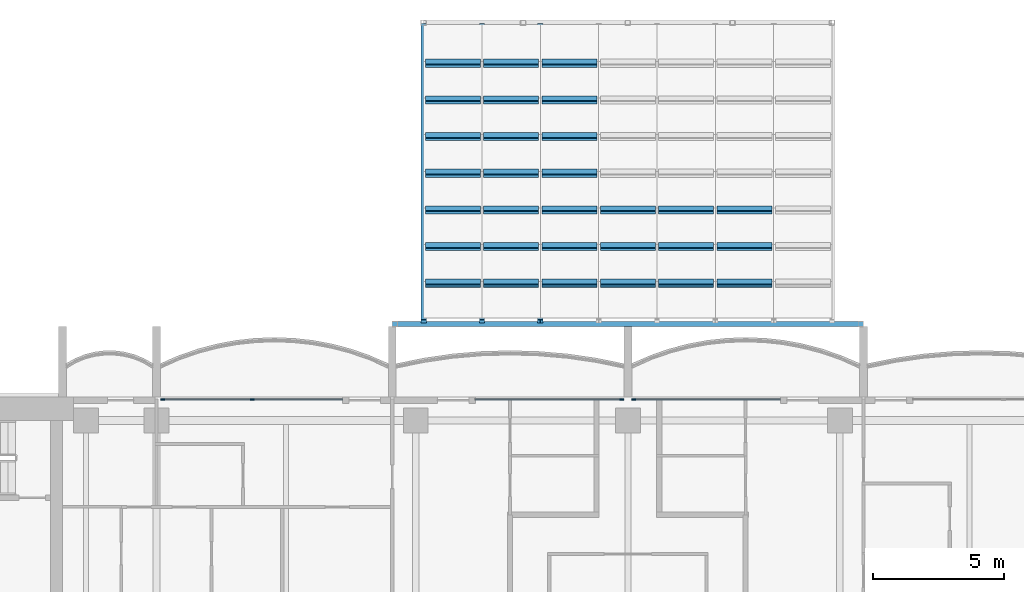
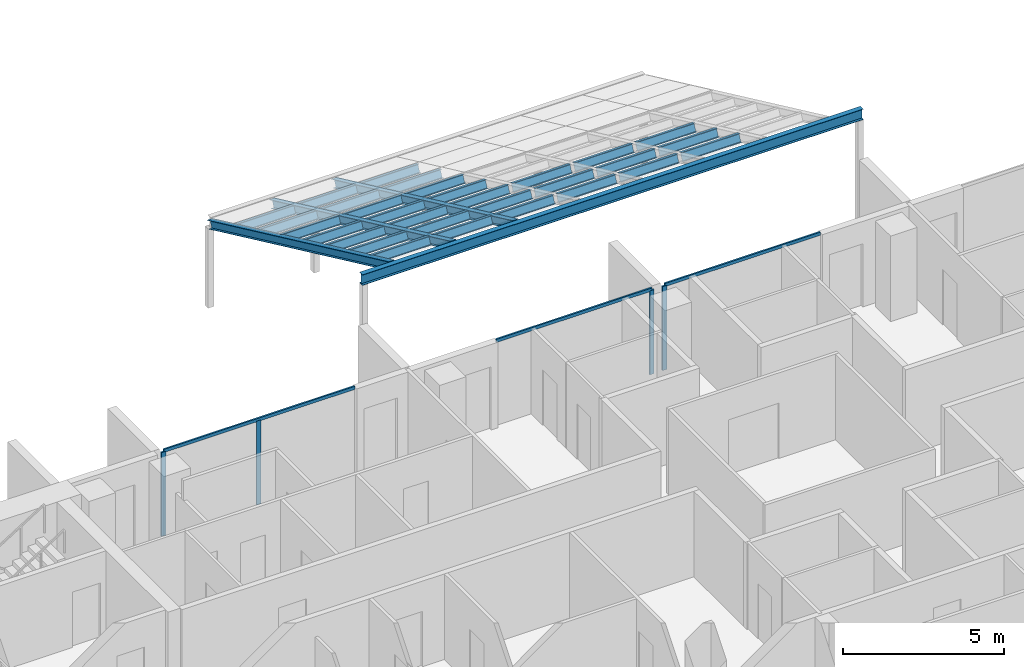
# One storey, part 6 of 20: 37 members, 4 beams, 3 elements without a shape of their own.
"""IFC4 building model written with IfcOpenShell, lengths in metres."""

from ifc_helpers import new_model, si_unit, direction, frame, origin, origin_2d, place, context, subcontext, project, spatial, rectangle, i_section, extrude, material, material_profile, profile_set, type_object, element, aggregate, save


model = new_model("IFC4")

# Units and contexts
model_context = context("Model", 3, precision=1e-05, world=origin(), true_north=direction((0.0, 1.0)))
body_context = subcontext(model_context, "Body", "Model", "MODEL_VIEW")
ifc_project = project(units=[si_unit("LENGTHUNIT", "METRE"), si_unit("AREAUNIT", "SQUARE_METRE"), si_unit("VOLUMEUNIT", "CUBIC_METRE"), si_unit("PLANEANGLEUNIT", "RADIAN"), si_unit("MASSUNIT", "GRAM", prefix="KILO")], contexts=[model_context])

# Site, building, storey
site_placement = place(None, origin())
site = spatial("IfcSite", under=ifc_project, at=site_placement, CompositionType="ELEMENT")
building_placement = place(site_placement, origin())
building = spatial("IfcBuilding", under=site, at=building_placement, Name="Perihelion Cross Residences", CompositionType="ELEMENT")
storey_placement = place(building_placement, frame((0.0, 0.0, 170.10009765625)))
storey = spatial("IfcBuildingStorey", under=building, at=storey_placement, Name="L41", CompositionType="ELEMENT", Elevation=170.10009765625)

# Curtain wall, member
ifc_material_1 = material(Name="Bronze anodised aluminium, tinted glazing", Category="aluminium")
curtain_wall_type = type_object("IfcCurtainWallType", Name="CW1", PredefinedType="NOTDEFINED", material=ifc_material_1)
curtain_wall_1_placement = place(storey_placement, origin())
curtain_wall_1 = element("IfcCurtainWall", 1, at=curtain_wall_1_placement, inside=storey, type_object=curtain_wall_type, Name="Curtain wall CW1 L41 north side east bay 1", PredefinedType="NOTDEFINED")
ifc_material_2 = material(Name="Bronze anodised aluminium", Category="aluminium")
ifc_material_profile_1 = material_profile(ifc_material_2, rectangle(XDim=0.06005859375, YDim=0.159912109375, at=origin_2d()), Name="CW1 mullion")
ifc_profile_set_1 = profile_set([ifc_material_profile_1], Name="Bronze anodised aluminium")
member_type_1 = type_object("IfcMemberType", Name="CW1 mullion", PredefinedType="MULLION", material=ifc_profile_set_1)
member_1_placement = place(storey_placement, frame((0.22998046875, 8.89990234375, 0.0), z_axis=(0.0, 0.0, 1.0), x_axis=(0.0, -1.0, 0.0)))
member_1 = element("IfcMember", 2, at=member_1_placement, type_object=member_type_1, Name="CW1 mullion 2", PredefinedType="MULLION", context=body_context, shape_type="SweptSolid", body=[
    extrude(rectangle(XDim=0.06005859375, YDim=0.159912109375, at=origin_2d()), origin(), (0.0, 0.0, 1.0), 3.18994140625),
])

curtain_wall_2_placement = place(storey_placement, origin())
curtain_wall_2 = element("IfcCurtainWall", 3, at=curtain_wall_2_placement, inside=storey, type_object=curtain_wall_type, Name="Curtain wall CW1 L41 north side east bay 2", PredefinedType="NOTDEFINED")
member_2_placement = place(storey_placement, frame((-0.22998046875, 8.89990234375, 0.0), z_axis=(0.0, 0.0, 1.0), x_axis=(0.0, -1.0, 0.0)))
member_2 = element("IfcMember", 4, at=member_2_placement, type_object=member_type_1, Name="CW1 mullion 1", PredefinedType="MULLION", context=body_context, shape_type="SweptSolid", body=[
    extrude(rectangle(XDim=0.06005859375, YDim=0.159912109375, at=origin_2d()), origin(), (0.0, 0.0, 1.0), 3.18994140625),
])

# Curtain wall, members
curtain_wall_3_placement = place(storey_placement, origin())
curtain_wall_3 = element("IfcCurtainWall", 5, at=curtain_wall_3_placement, inside=storey, type_object=curtain_wall_type, Name="Curtain wall CW1 L41 west side north bay 1", PredefinedType="NOTDEFINED")
member_3_placement = place(storey_placement, frame((-14.35009765625, 8.89990234375, 0.0), z_axis=(0.0, 0.0, 1.0), x_axis=(0.0, -1.0, 0.0)))
member_3 = element("IfcMember", 6, at=member_3_placement, type_object=member_type_1, Name="CW1 mullion 2", PredefinedType="MULLION", context=body_context, shape_type="SweptSolid", body=[
    extrude(rectangle(XDim=0.06005859375, YDim=0.159912109375, at=origin_2d()), origin(), (0.0, 0.0, 1.0), 3.18994140625),
])
member_4_placement = place(storey_placement, frame((-17.77001953125, 8.89990234375, 0.0), z_axis=(0.0, 0.0, 1.0), x_axis=(0.0, -1.0, 0.0)))
member_4 = element("IfcMember", 7, at=member_4_placement, type_object=member_type_1, Name="CW1 mullion 3", PredefinedType="MULLION", context=body_context, shape_type="SweptSolid", body=[
    extrude(rectangle(XDim=0.06005859375, YDim=0.159912109375, at=origin_2d()), origin(), (0.0, 0.0, 1.0), 3.18994140625),
])

# Member
ifc_material_3 = material(Name="Bronze anodised aluminium", Category="aluminium")
ifc_material_profile_2 = material_profile(ifc_material_3, rectangle(XDim=0.06005859375, YDim=0.1201171875, at=origin_2d()), Name="CW1 transom")
ifc_profile_set_2 = profile_set([ifc_material_profile_2], Name="Bronze anodised aluminium")
member_type_2 = type_object("IfcMemberType", Name="CW1 transom", PredefinedType="USERDEFINED", material=ifc_profile_set_2)
member_5_placement = place(storey_placement, frame((5.824951171875, 8.89990234375, 3.219970703125), z_axis=(-1.0, 0.0, 0.0), x_axis=(0.0, -1.0, 0.0)))
member_5 = element("IfcMember", 8, at=member_5_placement, type_object=member_type_2, Name="CW1 head transom", ObjectType="TRANSOM", PredefinedType="USERDEFINED", context=body_context, shape_type="SweptSolid", body=[
    extrude(rectangle(XDim=0.06005859375, YDim=0.1201171875, at=origin_2d()), origin(), (0.0, 0.0, 1.0), 5.594970703125),
])

aggregate(curtain_wall_1, [member_1, member_5])

member_6_placement = place(storey_placement, frame((-0.22998046875, 8.89990234375, 3.219970703125), z_axis=(-1.0, 0.0, 0.0), x_axis=(0.0, -1.0, 0.0)))
member_6 = element("IfcMember", 9, at=member_6_placement, type_object=member_type_2, Name="CW1 head transom", ObjectType="TRANSOM", PredefinedType="USERDEFINED", context=body_context, shape_type="SweptSolid", body=[
    extrude(rectangle(XDim=0.06005859375, YDim=0.1201171875, at=origin_2d()), origin(), (0.0, 0.0, 1.0), 5.594970703125),
])

aggregate(curtain_wall_2, [member_2, member_6])

member_7_placement = place(storey_placement, frame((-10.89990234375, 8.89990234375, 3.219970703125), z_axis=(-1.0, 0.0, 0.0), x_axis=(0.0, -1.0, 0.0)))
member_7 = element("IfcMember", 10, at=member_7_placement, type_object=member_type_2, Name="CW1 head transom", ObjectType="TRANSOM", PredefinedType="USERDEFINED", context=body_context, shape_type="SweptSolid", body=[
    extrude(rectangle(XDim=0.06005859375, YDim=0.1201171875, at=origin_2d()), origin(), (0.0, 0.0, 1.0), 6.8701171875),
])

aggregate(curtain_wall_3, [member_3, member_4, member_7])

# Members
ifc_material_4 = material(Name="Steel S355", Category="steel")
ifc_material_profile_3 = material_profile(ifc_material_4, i_section(OverallWidth=0.202880859375, OverallDepth=0.302001953125, WebThickness=0.007568359375, FlangeThickness=0.01318359375, at=origin_2d()), Name="W310x60")
ifc_profile_set_3 = profile_set([ifc_material_profile_3], Name="Steel S355")
member_type_3 = type_object("IfcMemberType", Name="Canopy purlin W310x60", PredefinedType="PURLIN", material=ifc_profile_set_3)
for number, where, z_axis, x_axis, name in (
    (11, (-7.738525390625, 21.74658203125, 0.35302734375), (1.0, 0.0, 0.0), (0.0, 0.906307787037, -0.422618261741), "Canopy SC4 L41 purlin 1 1"),
    (12, (-5.510009765625, 21.74658203125, 0.35302734375), (1.0, 0.0, 0.0), (0.0, 0.906307787037, -0.422618261741), "Canopy SC4 L41 purlin 1 2"),
):
    element("IfcMember", number, at=place(storey_placement, frame(where, z_axis=z_axis, x_axis=x_axis)), inside=storey, type_object=member_type_3, Name=name, PredefinedType="PURLIN", context=body_context, shape_type="SweptSolid", body=[
        extrude(i_section(OverallWidth=0.202880859375, OverallDepth=0.302001953125, WebThickness=0.007568359375, FlangeThickness=0.01318359375, at=origin_2d()), origin(), (0.0, 0.0, 1.0), 2.105712890625),
    ])
member_8_placement = place(storey_placement, frame((-3.28125, 21.74658203125, 0.35302734375), z_axis=(1.0, 0.0, 0.0), x_axis=(0.0, 0.906307787037, -0.422618261741)))
element("IfcMember", 13, at=member_8_placement, inside=storey, type_object=member_type_3, Name="Canopy SC4 L41 purlin 1 3", PredefinedType="PURLIN", context=body_context, shape_type="SweptSolid", body=[
    extrude(i_section(OverallWidth=0.202880859375, OverallDepth=0.302001953125, WebThickness=0.007568359375, FlangeThickness=0.01318359375, at=origin_2d()), origin(), (0.0, 0.0, 1.0), 2.10546875),
])
for number, where, z_axis, x_axis, name in (
    (14, (-7.738525390625, 20.345947265625, 1.006103515625), (1.0, 0.0, 0.0), (0.0, 0.906307787037, -0.422618261741), "Canopy SC4 L41 purlin 2 1"),
    (15, (-5.510009765625, 20.345947265625, 1.006103515625), (1.0, 0.0, 0.0), (0.0, 0.906307787037, -0.422618261741), "Canopy SC4 L41 purlin 2 2"),
):
    element("IfcMember", number, at=place(storey_placement, frame(where, z_axis=z_axis, x_axis=x_axis)), inside=storey, type_object=member_type_3, Name=name, PredefinedType="PURLIN", context=body_context, shape_type="SweptSolid", body=[
        extrude(i_section(OverallWidth=0.202880859375, OverallDepth=0.302001953125, WebThickness=0.007568359375, FlangeThickness=0.01318359375, at=origin_2d()), origin(), (0.0, 0.0, 1.0), 2.105712890625),
    ])
member_9_placement = place(storey_placement, frame((-3.28125, 20.345947265625, 1.006103515625), z_axis=(1.0, 0.0, 0.0), x_axis=(0.0, 0.906307787037, -0.422618261741)))
element("IfcMember", 16, at=member_9_placement, inside=storey, type_object=member_type_3, Name="Canopy SC4 L41 purlin 2 3", PredefinedType="PURLIN", context=body_context, shape_type="SweptSolid", body=[
    extrude(i_section(OverallWidth=0.202880859375, OverallDepth=0.302001953125, WebThickness=0.007568359375, FlangeThickness=0.01318359375, at=origin_2d()), origin(), (0.0, 0.0, 1.0), 2.10546875),
])
for number, where, z_axis, x_axis, name in (
    (17, (-7.738525390625, 18.945068359375, 1.659423828125), (1.0, 0.0, 0.0), (0.0, 0.906307787037, -0.422618261741), "Canopy SC4 L41 purlin 3 1"),
    (18, (-5.510009765625, 18.945068359375, 1.659423828125), (1.0, 0.0, 0.0), (0.0, 0.906307787037, -0.422618261741), "Canopy SC4 L41 purlin 3 2"),
):
    element("IfcMember", number, at=place(storey_placement, frame(where, z_axis=z_axis, x_axis=x_axis)), inside=storey, type_object=member_type_3, Name=name, PredefinedType="PURLIN", context=body_context, shape_type="SweptSolid", body=[
        extrude(i_section(OverallWidth=0.202880859375, OverallDepth=0.302001953125, WebThickness=0.007568359375, FlangeThickness=0.01318359375, at=origin_2d()), origin(), (0.0, 0.0, 1.0), 2.105712890625),
    ])
member_10_placement = place(storey_placement, frame((-3.28125, 18.945068359375, 1.659423828125), z_axis=(1.0, 0.0, 0.0), x_axis=(0.0, 0.906307787037, -0.422618261741)))
element("IfcMember", 19, at=member_10_placement, inside=storey, type_object=member_type_3, Name="Canopy SC4 L41 purlin 3 3", PredefinedType="PURLIN", context=body_context, shape_type="SweptSolid", body=[
    extrude(i_section(OverallWidth=0.202880859375, OverallDepth=0.302001953125, WebThickness=0.007568359375, FlangeThickness=0.01318359375, at=origin_2d()), origin(), (0.0, 0.0, 1.0), 2.10546875),
])
for number, where, z_axis, x_axis, name in (
    (20, (-7.738525390625, 17.54443359375, 2.3125), (1.0, 0.0, 0.0), (0.0, 0.906307787037, -0.422618261741), "Canopy SC4 L41 purlin 4 1"),
    (21, (-5.510009765625, 17.54443359375, 2.3125), (1.0, 0.0, 0.0), (0.0, 0.906307787037, -0.422618261741), "Canopy SC4 L41 purlin 4 2"),
):
    element("IfcMember", number, at=place(storey_placement, frame(where, z_axis=z_axis, x_axis=x_axis)), inside=storey, type_object=member_type_3, Name=name, PredefinedType="PURLIN", context=body_context, shape_type="SweptSolid", body=[
        extrude(i_section(OverallWidth=0.202880859375, OverallDepth=0.302001953125, WebThickness=0.007568359375, FlangeThickness=0.01318359375, at=origin_2d()), origin(), (0.0, 0.0, 1.0), 2.105712890625),
    ])
member_11_placement = place(storey_placement, frame((-3.28125, 17.54443359375, 2.3125), z_axis=(1.0, 0.0, 0.0), x_axis=(0.0, 0.906307787037, -0.422618261741)))
element("IfcMember", 22, at=member_11_placement, inside=storey, type_object=member_type_3, Name="Canopy SC4 L41 purlin 4 3", PredefinedType="PURLIN", context=body_context, shape_type="SweptSolid", body=[
    extrude(i_section(OverallWidth=0.202880859375, OverallDepth=0.302001953125, WebThickness=0.007568359375, FlangeThickness=0.01318359375, at=origin_2d()), origin(), (0.0, 0.0, 1.0), 2.10546875),
])
for number, where, z_axis, x_axis, name in (
    (23, (-7.738525390625, 16.143798828125, 2.965576171875), (1.0, 0.0, 0.0), (0.0, 0.906307787037, -0.422618261741), "Canopy SC4 L41 purlin 5 1"),
    (24, (-5.510009765625, 16.143798828125, 2.965576171875), (1.0, 0.0, 0.0), (0.0, 0.906307787037, -0.422618261741), "Canopy SC4 L41 purlin 5 2"),
):
    element("IfcMember", number, at=place(storey_placement, frame(where, z_axis=z_axis, x_axis=x_axis)), inside=storey, type_object=member_type_3, Name=name, PredefinedType="PURLIN", context=body_context, shape_type="SweptSolid", body=[
        extrude(i_section(OverallWidth=0.202880859375, OverallDepth=0.302001953125, WebThickness=0.007568359375, FlangeThickness=0.01318359375, at=origin_2d()), origin(), (0.0, 0.0, 1.0), 2.105712890625),
    ])
for number, where, z_axis, x_axis, name in (
    (25, (-3.28125, 16.143798828125, 2.965576171875), (1.0, 0.0, 0.0), (0.0, 0.906307787037, -0.422618261741), "Canopy SC4 L41 purlin 5 3"),
    (26, (-1.052734375, 16.143798828125, 2.965576171875), (1.0, 0.0, 0.0), (0.0, 0.906307787037, -0.422618261741), "Canopy SC4 L41 purlin 5 4"),
    (27, (1.17578125, 16.143798828125, 2.965576171875), (1.0, 0.0, 0.0), (0.0, 0.906307787037, -0.422618261741), "Canopy SC4 L41 purlin 5 5"),
):
    element("IfcMember", number, at=place(storey_placement, frame(where, z_axis=z_axis, x_axis=x_axis)), inside=storey, type_object=member_type_3, Name=name, PredefinedType="PURLIN", context=body_context, shape_type="SweptSolid", body=[
        extrude(i_section(OverallWidth=0.202880859375, OverallDepth=0.302001953125, WebThickness=0.007568359375, FlangeThickness=0.01318359375, at=origin_2d()), origin(), (0.0, 0.0, 1.0), 2.10546875),
    ])
for number, where, z_axis, x_axis, name in (
    (28, (3.404296875, 16.143798828125, 2.965576171875), (1.0, 0.0, 0.0), (0.0, 0.906307787037, -0.422618261741), "Canopy SC4 L41 purlin 5 6"),
    (29, (-7.738525390625, 14.7431640625, 3.61865234375), (1.0, 0.0, 0.0), (0.0, 0.906307787037, -0.422618261741), "Canopy SC4 L41 purlin 6 1"),
    (30, (-5.510009765625, 14.7431640625, 3.61865234375), (1.0, 0.0, 0.0), (0.0, 0.906307787037, -0.422618261741), "Canopy SC4 L41 purlin 6 2"),
):
    element("IfcMember", number, at=place(storey_placement, frame(where, z_axis=z_axis, x_axis=x_axis)), inside=storey, type_object=member_type_3, Name=name, PredefinedType="PURLIN", context=body_context, shape_type="SweptSolid", body=[
        extrude(i_section(OverallWidth=0.202880859375, OverallDepth=0.302001953125, WebThickness=0.007568359375, FlangeThickness=0.01318359375, at=origin_2d()), origin(), (0.0, 0.0, 1.0), 2.105712890625),
    ])
for number, where, z_axis, x_axis, name in (
    (31, (-3.28125, 14.7431640625, 3.61865234375), (1.0, 0.0, 0.0), (0.0, 0.906307787037, -0.422618261741), "Canopy SC4 L41 purlin 6 3"),
    (32, (-1.052734375, 14.7431640625, 3.61865234375), (1.0, 0.0, 0.0), (0.0, 0.906307787037, -0.422618261741), "Canopy SC4 L41 purlin 6 4"),
    (33, (1.17578125, 14.7431640625, 3.61865234375), (1.0, 0.0, 0.0), (0.0, 0.906307787037, -0.422618261741), "Canopy SC4 L41 purlin 6 5"),
):
    element("IfcMember", number, at=place(storey_placement, frame(where, z_axis=z_axis, x_axis=x_axis)), inside=storey, type_object=member_type_3, Name=name, PredefinedType="PURLIN", context=body_context, shape_type="SweptSolid", body=[
        extrude(i_section(OverallWidth=0.202880859375, OverallDepth=0.302001953125, WebThickness=0.007568359375, FlangeThickness=0.01318359375, at=origin_2d()), origin(), (0.0, 0.0, 1.0), 2.10546875),
    ])
for number, where, z_axis, x_axis, name in (
    (34, (3.404296875, 14.7431640625, 3.61865234375), (1.0, 0.0, 0.0), (0.0, 0.906307787037, -0.422618261741), "Canopy SC4 L41 purlin 6 6"),
    (35, (-7.738525390625, 13.342529296875, 4.27197265625), (1.0, 0.0, 0.0), (0.0, 0.906307787037, -0.422618261741), "Canopy SC4 L41 purlin 7 1"),
    (36, (-5.510009765625, 13.342529296875, 4.27197265625), (1.0, 0.0, 0.0), (0.0, 0.906307787037, -0.422618261741), "Canopy SC4 L41 purlin 7 2"),
):
    element("IfcMember", number, at=place(storey_placement, frame(where, z_axis=z_axis, x_axis=x_axis)), inside=storey, type_object=member_type_3, Name=name, PredefinedType="PURLIN", context=body_context, shape_type="SweptSolid", body=[
        extrude(i_section(OverallWidth=0.202880859375, OverallDepth=0.302001953125, WebThickness=0.007568359375, FlangeThickness=0.01318359375, at=origin_2d()), origin(), (0.0, 0.0, 1.0), 2.105712890625),
    ])
for number, where, z_axis, x_axis, name in (
    (37, (-3.28125, 13.342529296875, 4.27197265625), (1.0, 0.0, 0.0), (0.0, 0.906307787037, -0.422618261741), "Canopy SC4 L41 purlin 7 3"),
    (38, (-1.052734375, 13.342529296875, 4.27197265625), (1.0, 0.0, 0.0), (0.0, 0.906307787037, -0.422618261741), "Canopy SC4 L41 purlin 7 4"),
    (39, (1.17578125, 13.342529296875, 4.27197265625), (1.0, 0.0, 0.0), (0.0, 0.906307787037, -0.422618261741), "Canopy SC4 L41 purlin 7 5"),
):
    element("IfcMember", number, at=place(storey_placement, frame(where, z_axis=z_axis, x_axis=x_axis)), inside=storey, type_object=member_type_3, Name=name, PredefinedType="PURLIN", context=body_context, shape_type="SweptSolid", body=[
        extrude(i_section(OverallWidth=0.202880859375, OverallDepth=0.302001953125, WebThickness=0.007568359375, FlangeThickness=0.01318359375, at=origin_2d()), origin(), (0.0, 0.0, 1.0), 2.10546875),
    ])
member_12_placement = place(storey_placement, frame((3.404296875, 13.342529296875, 4.27197265625), z_axis=(1.0, 0.0, 0.0), x_axis=(0.0, 0.906307787037, -0.422618261741)))
element("IfcMember", 40, at=member_12_placement, inside=storey, type_object=member_type_3, Name="Canopy SC4 L41 purlin 7 6", PredefinedType="PURLIN", context=body_context, shape_type="SweptSolid", body=[
    extrude(i_section(OverallWidth=0.202880859375, OverallDepth=0.302001953125, WebThickness=0.007568359375, FlangeThickness=0.01318359375, at=origin_2d()), origin(), (0.0, 0.0, 1.0), 2.105712890625),
])

# Beams
ifc_material_5 = material(Name="Steel S355", Category="steel")
ifc_material_profile_4 = material_profile(ifc_material_5, i_section(OverallWidth=0.202880859375, OverallDepth=0.302001953125, WebThickness=0.007568359375, FlangeThickness=0.01318359375, at=origin_2d()), Name="W310x60")
ifc_profile_set_4 = profile_set([ifc_material_profile_4], Name="Steel S355")
beam_type_1 = type_object("IfcBeamType", Name="Canopy rafter W310x60", PredefinedType="BEAM", material=ifc_profile_set_4)
for number, where, z_axis, x_axis, name in (
    (41, (-7.800048828125, 23.20166015625, -0.325439453125), (0.0, -0.906308504648, 0.422616722815), (1.0, 0.0, 0.0), "Canopy SC3 L41 rafter 1"),
    (42, (-5.571533203125, 23.20166015625, -0.325439453125), (0.0, -0.906308504648, 0.422616722815), (1.0, 0.0, 0.0), "Canopy SC3 L41 rafter 2"),
    (43, (-3.3427734375, 23.20166015625, -0.325439453125), (0.0, -0.906308504648, 0.422616722815), (1.0, 0.0, 0.0), "Canopy SC3 L41 rafter 3"),
):
    element("IfcBeam", number, at=place(storey_placement, frame(where, z_axis=z_axis, x_axis=x_axis)), inside=storey, type_object=beam_type_1, Name=name, PredefinedType="BEAM", context=body_context, shape_type="SweptSolid", body=[
        extrude(i_section(OverallWidth=0.202880859375, OverallDepth=0.302001953125, WebThickness=0.007568359375, FlangeThickness=0.01318359375, at=origin_2d()), origin(), (0.0, 0.0, 1.0), 12.48388671875),
    ])
ifc_material_6 = material(Name="Steel S355", Category="steel")
ifc_material_profile_5 = material_profile(ifc_material_6, i_section(OverallWidth=0.177978515625, OverallDepth=0.406005859375, WebThickness=0.0078125, FlangeThickness=0.0126953125, at=origin_2d()), Name="W410x60")
ifc_profile_set_5 = profile_set([ifc_material_profile_5], Name="Steel S355")
beam_type_2 = type_object("IfcBeamType", Name="Canopy ridge beam W410x60", PredefinedType="BEAM", material=ifc_profile_set_5)
beam_placement = place(storey_placement, frame((-9.0, 11.7890625, 4.925048828125), z_axis=(1.0, 0.0, 0.0), x_axis=(0.0, 1.0, 0.0)))
element("IfcBeam", 44, at=beam_placement, inside=storey, type_object=beam_type_2, Name="Canopy SC1 L41 ridge", PredefinedType="BEAM", context=body_context, shape_type="SweptSolid", body=[
    extrude(i_section(OverallWidth=0.177978515625, OverallDepth=0.406005859375, WebThickness=0.0078125, FlangeThickness=0.0126953125, at=origin_2d()), origin(), (0.0, 0.0, 1.0), 18.0),
])

save(model, "model.ifc")
